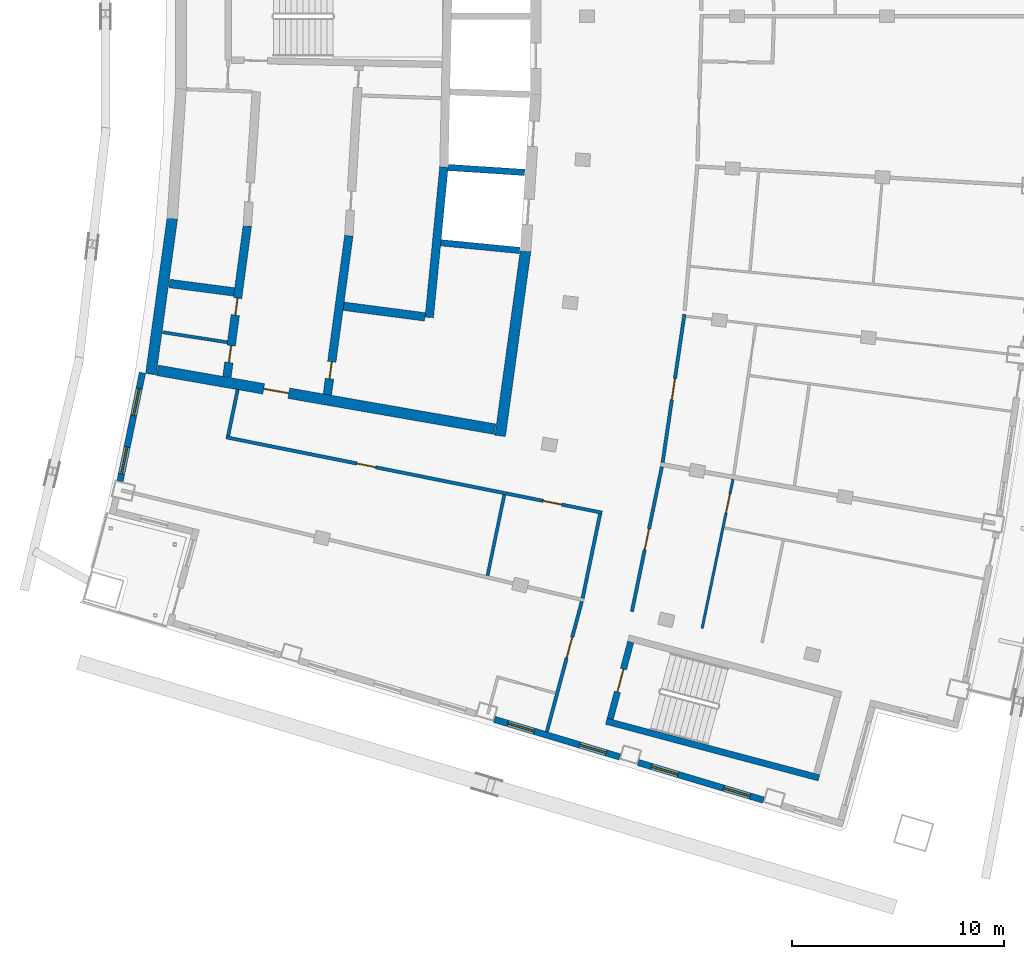
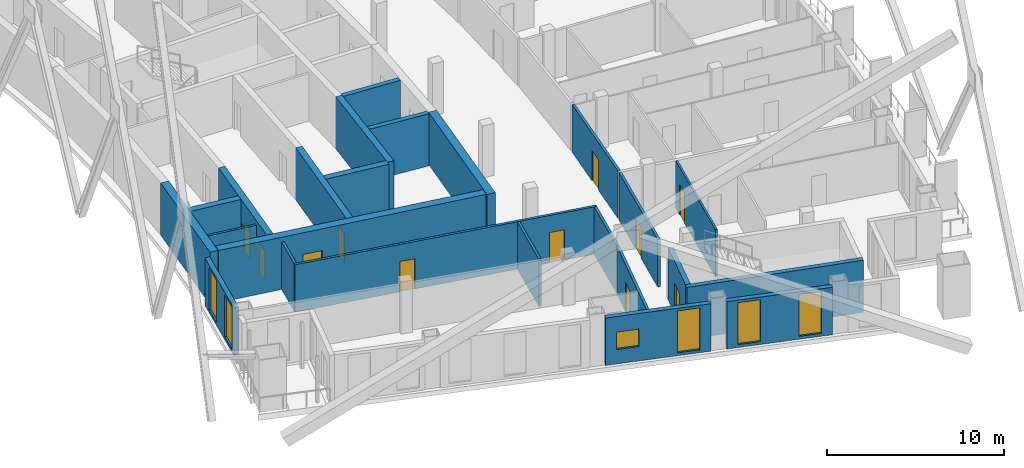
# One storey, part 8 of 16: 24 walls, 11 doors, 6 windows, 17 openings.
"""IFC4 building model written with IfcOpenShell, lengths in metres."""

from ifc_helpers import new_model, si_unit, direction, frame, frame_2d, origin, place, context, subcontext, project, spatial, rectangle, extrude, material, layer, layer_set, type_object, element, fill, save


model = new_model("IFC4")

# Units and contexts
model_context = context("Model", 3, precision=1e-05, world=origin(), true_north=direction((0.0, 1.0)))
body_context = subcontext(model_context, "Body", "Model", "MODEL_VIEW")
ifc_project = project(units=[si_unit("LENGTHUNIT", "METRE"), si_unit("AREAUNIT", "SQUARE_METRE"), si_unit("VOLUMEUNIT", "CUBIC_METRE"), si_unit("PLANEANGLEUNIT", "RADIAN"), si_unit("MASSUNIT", "GRAM", prefix="KILO")], contexts=[model_context])

# Site, building, storey
site_placement = place(None, origin())
site = spatial("IfcSite", under=ifc_project, at=site_placement, CompositionType="ELEMENT")
building_placement = place(site_placement, origin())
building = spatial("IfcBuilding", under=site, at=building_placement, Name="Alderwake Tower", CompositionType="ELEMENT")
storey_placement = place(building_placement, frame((0.0, 0.0, 245.60009765625)))
storey = spatial("IfcBuildingStorey", under=building, at=storey_placement, Name="L60", CompositionType="ELEMENT", Elevation=245.60009765625)

# Walls
ifc_material_1 = material(Name="Gypsum shaft wall system, rated")
ifc_layer_1 = layer(ifc_material_1, 0.14990234375)
ifc_layer_set_1 = layer_set([ifc_layer_1], Name="Core room partition 150")
wall_type_1 = type_object("IfcWallType", Name="Core room partition 150", PredefinedType="PARTITIONING", material=ifc_layer_set_1)
wall_1_placement = place(storey_placement, frame((15.826416015625, 46.128662109375, 0.0), z_axis=(0.0, 0.0, 1.0), x_axis=(0.988169349882, -0.153366671587, 0.0)))
element("IfcWall", 1, at=wall_1_placement, inside=storey, type_object=wall_type_1, Name="CW/L60/PR-161_+0", PredefinedType="PARTITIONING", context=body_context, shape_type="SweptSolid", body=[
    extrude(rectangle(XDim=3.081787109375, YDim=0.14990234375, at=frame_2d((1.541015625, 0.0))), origin(), (0.0, 0.0, 1.0), 3.27978515625),
])
ifc_material_2 = material(Name="Concrete C70/85", Category="concrete")
ifc_layer_2 = layer(ifc_material_2, 0.5)
ifc_layer_set_2 = layer_set([ifc_layer_2], Name="Core wall outer 500 C70-85")
wall_type_2 = type_object("IfcWallType", Name="Core wall outer 500 C70-85", PredefinedType="SHEAR", material=ifc_layer_set_2)
wall_2_placement = place(storey_placement, frame((15.272216796875, 44.155029296875, 0.0), z_axis=(0.0, 0.0, 1.0), x_axis=(0.13632182908, 0.990664604655, 0.0)))
element("IfcWall", 2, at=wall_2_placement, inside=storey, type_object=wall_type_2, Name="Core wall CW.028", PredefinedType="SHEAR", context=body_context, shape_type="SweptSolid", body=[
    extrude(rectangle(XDim=7.408935546875, YDim=0.5, at=frame_2d((3.70458984375, 0.0))), origin(), (0.0, 0.0, 1.0), 3.599853515625),
])
wall_3_placement = place(storey_placement, frame((31.71728515625, 41.247314453125, 0.0), z_axis=(0.0, 0.0, 1.0), x_axis=(0.1358539401, 0.990728876615, 0.0)))
element("IfcWall", 3, at=wall_3_placement, inside=storey, type_object=wall_type_2, Name="Core wall CW.022", PredefinedType="SHEAR", context=body_context, shape_type="SweptSolid", body=[
    extrude(rectangle(XDim=8.794921875, YDim=0.5, at=frame_2d((4.3974609375, 0.0))), origin(), (0.0, 0.0, 1.0), 3.599853515625),
])

# Wall, opening, door
wall_4_placement = place(storey_placement, frame((31.47802734375, 41.564453125, 0.0), z_axis=(0.0, 0.0, 1.0), x_axis=(-0.985140274783, 0.171751678306, 0.0)))
wall_4 = element("IfcWall", 4, at=wall_4_placement, inside=storey, type_object=wall_type_2, Name="Core wall CW.072", PredefinedType="SHEAR", context=body_context, shape_type="SweptSolid", body=[
    extrude(rectangle(XDim=16.137939453125, YDim=0.5, at=frame_2d((8.06884765625, 0.0))), origin(), (0.0, 0.0, 1.0), 3.599853515625),
])
opening_1_placement = place(wall_4_placement, frame((9.859619140625, 0.0, 0.0)))
opening_1 = element("IfcOpeningElement", 5, at=opening_1_placement, cuts=wall_4, Name="Opening C003", PredefinedType="OPENING", context=body_context, shape_type="SweptSolid", body=[
    extrude(rectangle(XDim=1.199951171875, YDim=2.10009765625, at=frame_2d((0.60009765625, 1.050048828125))), frame((0.0, 0.260009765625, 0.0), z_axis=(0.0, -1.0, 0.0), x_axis=(1.0, 0.0, 0.0)), (0.0, 0.0, 1.0), 0.52001953125),
])
ifc_material_3 = material(Name="Steel-framed fire door leaf", Category="steel")
door_type_1 = type_object("IfcDoorType", Name="Core lobby exit door 1200 fire-rated", OperationType="SINGLE_SWING_LEFT", PredefinedType="DOOR", material=ifc_material_3)
door_1_placement = place(opening_1_placement, origin())
door_1 = element("IfcDoor", 6, at=door_1_placement, inside=storey, type_object=door_type_1, Name="Lobby door", OperationType="SINGLE_SWING_LEFT", OverallHeight=2.10009765625, OverallWidth=1.199951171875, PredefinedType="DOOR", context=body_context, shape_type="SweptSolid", body=[
    extrude(rectangle(XDim=1.199951171875, YDim=2.10009765625, at=frame_2d((0.60009765625, 1.050048828125))), frame((0.0, 0.02490234375, 0.0), z_axis=(0.0, -1.0, 0.0), x_axis=(1.0, 0.0, 0.0)), (0.0, 0.0, 1.0), 0.050048828125),
])
fill(opening_1, door_1)

# Walls
ifc_material_4 = material(Name="Concrete C70/85", Category="concrete")
ifc_layer_3 = layer(ifc_material_4, 0.300048828125)
ifc_layer_set_3 = layer_set([ifc_layer_3], Name="Core wall shaft 300 C70-85")
wall_type_3 = type_object("IfcWallType", Name="Core wall shaft 300 C70-85", PredefinedType="SHEAR", material=ifc_layer_set_3)
wall_5_placement = place(storey_placement, frame((28.922119140625, 50.341796875, 0.0), z_axis=(0.0, 0.0, 1.0), x_axis=(0.995245719762, -0.097395879255, 0.0)))
element("IfcWall", 7, at=wall_5_placement, inside=storey, type_object=wall_type_3, Name="Core wall CW.064", PredefinedType="SHEAR", context=body_context, shape_type="SweptSolid", body=[
    extrude(rectangle(XDim=3.7275390625, YDim=0.300048828125, at=frame_2d((1.86376953125, 0.0))), origin(), (0.0, 0.0, 1.0), 3.599853515625),
])
wall_6_placement = place(storey_placement, frame((29.268798828125, 53.884521484375, 0.0), z_axis=(0.0, 0.0, 1.0), x_axis=(0.997885735437, -0.064992761217, 0.0)))
element("IfcWall", 8, at=wall_6_placement, inside=storey, type_object=wall_type_3, Name="Core wall CW.078", PredefinedType="SHEAR", context=body_context, shape_type="SweptSolid", body=[
    extrude(rectangle(XDim=3.60986328125, YDim=0.300048828125, at=frame_2d((1.804931640625, 0.0))), origin(), (0.0, 0.0, 1.0), 3.599853515625),
])

# Wall, openings, doors
ifc_material_5 = material(Name="Concrete C70/85", Category="concrete")
ifc_layer_4 = layer(ifc_material_5, 0.39990234375)
ifc_layer_set_4 = layer_set([ifc_layer_4], Name="Core wall spine 400 C70-85")
wall_type_4 = type_object("IfcWallType", Name="Core wall spine 400 C70-85", PredefinedType="SHEAR", material=ifc_layer_set_4)
wall_7_placement = place(storey_placement, frame((19.814697265625, 51.143798828125, 0.0), z_axis=(0.0, 0.0, 1.0), x_axis=(-0.133823115837, -0.991005233925, 0.0)))
wall_7 = element("IfcWall", 9, at=wall_7_placement, inside=storey, type_object=wall_type_4, Name="Core wall CW.033", PredefinedType="SHEAR", context=body_context, shape_type="SweptSolid", body=[
    extrude(rectangle(XDim=7.1787109375, YDim=0.39990234375, at=frame_2d((3.58935546875, 0.0))), origin(), (0.0, 0.0, 1.0), 3.599853515625),
])
opening_2_placement = place(wall_7_placement, frame((5.69677734375, 0.0, 0.0)))
opening_2 = element("IfcOpeningElement", 10, at=opening_2_placement, cuts=wall_7, Name="Opening C009", PredefinedType="OPENING", context=body_context, shape_type="SweptSolid", body=[
    extrude(rectangle(XDim=0.800048828125, YDim=2.0, at=frame_2d((0.39990234375, 1.0))), frame((0.0, 0.2099609375, 0.0), z_axis=(0.0, -1.0, 0.0), x_axis=(1.0, 0.0, 0.0)), (0.0, 0.0, 1.0), 0.419921875),
])
opening_3_placement = place(wall_7_placement, frame((3.443115234375, 0.0, 0.0)))
opening_3 = element("IfcOpeningElement", 11, at=opening_3_placement, cuts=wall_7, Name="Opening C010", PredefinedType="OPENING", context=body_context, shape_type="SweptSolid", body=[
    extrude(rectangle(XDim=0.800048828125, YDim=2.0, at=frame_2d((0.39990234375, 1.0))), frame((0.0, 0.2099609375, 0.0), z_axis=(0.0, -1.0, 0.0), x_axis=(1.0, 0.0, 0.0)), (0.0, 0.0, 1.0), 0.419921875),
])
ifc_material_6 = material(Name="Painted steel leaf, rated", Category="steel")
door_type_2 = type_object("IfcDoorType", Name="Riser access door 800", OperationType="SINGLE_SWING_LEFT", PredefinedType="DOOR", material=ifc_material_6)
door_2_placement = place(opening_2_placement, origin())
door_2 = element("IfcDoor", 12, at=door_2_placement, inside=storey, type_object=door_type_2, Name="Riser access door", OperationType="SINGLE_SWING_LEFT", OverallHeight=2.0, OverallWidth=0.800048828125, PredefinedType="DOOR", context=body_context, shape_type="SweptSolid", body=[
    extrude(rectangle(XDim=0.800048828125, YDim=2.0, at=frame_2d((0.39990234375, 1.0))), frame((0.0, 0.02490234375, 0.0), z_axis=(0.0, -1.0, 0.0), x_axis=(1.0, 0.0, 0.0)), (0.0, 0.0, 1.0), 0.050048828125),
])
fill(opening_2, door_2)
door_3_placement = place(opening_3_placement, origin())
door_3 = element("IfcDoor", 13, at=door_3_placement, inside=storey, type_object=door_type_2, Name="Riser access door", OperationType="SINGLE_SWING_RIGHT", OverallHeight=2.0, OverallWidth=0.800048828125, PredefinedType="DOOR", context=body_context, shape_type="SweptSolid", body=[
    extrude(rectangle(XDim=0.800048828125, YDim=2.0, at=frame_2d((0.39990234375, 1.0))), frame((0.0, 0.02490234375, 0.0), z_axis=(0.0, -1.0, 0.0), x_axis=(1.0, 0.0, 0.0)), (0.0, 0.0, 1.0), 0.050048828125),
])
fill(opening_3, door_3)

# Wall, opening, door
wall_8_placement = place(storey_placement, frame((23.58056640625, 43.19384765625, 0.0), z_axis=(0.0, 0.0, 1.0), x_axis=(0.133962545762, 0.990986395635, 0.0)))
wall_8 = element("IfcWall", 14, at=wall_8_placement, inside=storey, type_object=wall_type_4, Name="Core wall CW.047", PredefinedType="SHEAR", context=body_context, shape_type="SweptSolid", body=[
    extrude(rectangle(XDim=7.546875, YDim=0.39990234375, at=frame_2d((3.7734375, 0.0))), origin(), (0.0, 0.0, 1.0), 3.599853515625),
])
opening_4_placement = place(wall_8_placement, frame((0.7578125, 0.0, 0.0)))
opening_4 = element("IfcOpeningElement", 15, at=opening_4_placement, cuts=wall_8, Name="Opening C013", PredefinedType="OPENING", context=body_context, shape_type="SweptSolid", body=[
    extrude(rectangle(XDim=0.800048828125, YDim=2.0, at=frame_2d((0.39990234375, 1.0))), frame((0.0, 0.2099609375, 0.0), z_axis=(0.0, -1.0, 0.0), x_axis=(1.0, 0.0, 0.0)), (0.0, 0.0, 1.0), 0.419921875),
])
door_4_placement = place(opening_4_placement, origin())
door_4 = element("IfcDoor", 16, at=door_4_placement, inside=storey, type_object=door_type_2, Name="Riser access door", OperationType="SINGLE_SWING_LEFT", OverallHeight=2.0, OverallWidth=0.800048828125, PredefinedType="DOOR", context=body_context, shape_type="SweptSolid", body=[
    extrude(rectangle(XDim=0.800048828125, YDim=2.0, at=frame_2d((0.39990234375, 1.0))), frame((0.0, 0.02490234375, 0.0), z_axis=(0.0, -1.0, 0.0), x_axis=(1.0, 0.0, 0.0)), (0.0, 0.0, 1.0), 0.050048828125),
])
fill(opening_4, door_4)

# Walls
wall_9_placement = place(storey_placement, frame((28.376953125, 46.8251953125, 0.0), z_axis=(0.0, 0.0, 1.0), x_axis=(0.097393469943, 0.995245955537, 0.0)))
element("IfcWall", 17, at=wall_9_placement, inside=storey, type_object=wall_type_4, Name="Core wall CW.005", PredefinedType="SHEAR", context=body_context, shape_type="SweptSolid", body=[
    extrude(rectangle(XDim=7.1142578125, YDim=0.39990234375, at=frame_2d((3.55712890625, 0.0))), origin(), (0.0, 0.0, 1.0), 3.599853515625),
])
wall_10_placement = place(storey_placement, frame((16.142578125, 48.42529296875, 0.0), z_axis=(0.0, 0.0, 1.0), x_axis=(0.991550757989, -0.129719290517, 0.0)))
element("IfcWall", 18, at=wall_10_placement, inside=storey, type_object=wall_type_4, Name="Core wall CW.067", PredefinedType="SHEAR", context=body_context, shape_type="SweptSolid", body=[
    extrude(rectangle(XDim=3.0751953125, YDim=0.39990234375, at=frame_2d((1.53759765625, 0.0))), origin(), (0.0, 0.0, 1.0), 3.599853515625),
])
wall_11_placement = place(storey_placement, frame((24.344482421875, 47.3525390625, 0.0), z_axis=(0.0, 0.0, 1.0), x_axis=(0.991554578278, -0.12969008557, 0.0)))
element("IfcWall", 19, at=wall_11_placement, inside=storey, type_object=wall_type_4, Name="Core wall CW.069", PredefinedType="SHEAR", context=body_context, shape_type="SweptSolid", body=[
    extrude(rectangle(XDim=3.86669921875, YDim=0.39990234375, at=frame_2d((1.933349609375, 0.0))), origin(), (0.0, 0.0, 1.0), 3.599853515625),
])
ifc_material_7 = material(Name="Concrete C70/85", Category="concrete")
ifc_layer_5 = layer(ifc_material_7, 0.300048828125)
ifc_layer_set_5 = layer_set([ifc_layer_5], Name="Core wall stair enclosure 300 C70-85")
wall_type_5 = type_object("IfcWallType", Name="Core wall stair enclosure 300 C70-85", PredefinedType="SHEAR", material=ifc_layer_set_5)
wall_12_placement = place(storey_placement, frame((36.71142578125, 27.817626953125, 0.0), z_axis=(0.0, 0.0, 1.0), x_axis=(0.966309214305, -0.257383958996, 0.0)))
element("IfcWall", 20, at=wall_12_placement, inside=storey, type_object=wall_type_5, Name="Core wall CW.088", PredefinedType="SHEAR", context=body_context, shape_type="SweptSolid", body=[
    extrude(rectangle(XDim=10.360107421875, YDim=0.300048828125, at=frame_2d((5.18017578125, 0.0))), origin(), (0.0, 0.0, 1.0), 3.599853515625),
])

# Wall, opening, door
wall_13_placement = place(storey_placement, frame((36.89501953125, 27.923828125, 0.0), z_axis=(0.0, 0.0, 1.0), x_axis=(0.257350630826, 0.966318090907, 0.0)))
wall_13 = element("IfcWall", 21, at=wall_13_placement, inside=storey, type_object=wall_type_5, Name="Core wall CW.087", PredefinedType="SHEAR", context=body_context, shape_type="SweptSolid", body=[
    extrude(rectangle(XDim=3.75, YDim=0.300048828125, at=frame_2d((1.875, 0.0))), origin(), (0.0, 0.0, 1.0), 3.599853515625),
])
opening_5_placement = place(wall_13_placement, frame((1.324951171875, 0.0, 0.0)))
opening_5 = element("IfcOpeningElement", 22, at=opening_5_placement, cuts=wall_13, Name="Opening C065", PredefinedType="OPENING", context=body_context, shape_type="SweptSolid", body=[
    extrude(rectangle(XDim=1.10009765625, YDim=2.10009765625, at=frame_2d((0.550048828125, 1.050048828125))), frame((0.0, 0.159912109375, 0.0), z_axis=(0.0, -1.0, 0.0), x_axis=(1.0, 0.0, 0.0)), (0.0, 0.0, 1.0), 0.320068359375),
])
ifc_material_8 = material(Name="Steel-framed fire door leaf", Category="steel")
door_type_3 = type_object("IfcDoorType", Name="Core stair door 1100 fire-rated", OperationType="SINGLE_SWING_LEFT", PredefinedType="DOOR", material=ifc_material_8)
door_5_placement = place(opening_5_placement, origin())
door_5 = element("IfcDoor", 23, at=door_5_placement, inside=storey, type_object=door_type_3, Name="Stair door", OperationType="SINGLE_SWING_LEFT", OverallHeight=2.10009765625, OverallWidth=1.10009765625, PredefinedType="DOOR", context=body_context, shape_type="SweptSolid", body=[
    extrude(rectangle(XDim=1.10009765625, YDim=2.10009765625, at=frame_2d((0.550048828125, 1.050048828125))), frame((0.0, 0.02490234375, 0.0), z_axis=(0.0, -1.0, 0.0), x_axis=(1.0, 0.0, 0.0)), (0.0, 0.0, 1.0), 0.050048828125),
])
fill(opening_5, door_5)

# Wall, openings, doors
ifc_material_9 = material(Name="Gypsum board on metal studs, rated")
ifc_layer_6 = layer(ifc_material_9, 0.159912109375)
ifc_layer_set_6 = layer_set([ifc_layer_6], Name="Corridor wall 160")
wall_type_6 = type_object("IfcWallType", Name="Corridor wall 160", PredefinedType="PARTITIONING", material=ifc_layer_set_6)
wall_14_placement = place(storey_placement, frame((36.513427734375, 37.63427734375, 0.0), z_axis=(0.0, 0.0, 1.0), x_axis=(-0.980470254867, 0.1966674333, 0.0)))
wall_14 = element("IfcWall", 24, at=wall_14_placement, inside=storey, type_object=wall_type_6, Name="WL/L60/W09", PredefinedType="PARTITIONING", context=body_context, shape_type="SweptSolid", body=[
    extrude(rectangle(XDim=18.053466796875, YDim=0.159912109375, at=frame_2d((9.02685546875, 0.0))), origin(), (0.0, 0.0, 1.0), 3.27978515625),
])
opening_6_placement = place(wall_14_placement, frame((10.876708984375, 0.0, 0.0)))
opening_6 = element("IfcOpeningElement", 25, at=opening_6_placement, cuts=wall_14, Name="Opening R17-SBS1", PredefinedType="OPENING", context=body_context, shape_type="SweptSolid", body=[
    extrude(rectangle(XDim=0.89990234375, YDim=2.10009765625, at=frame_2d((0.449951171875, 1.050048828125))), frame((0.0, 0.08984375, 0.0), z_axis=(0.0, -1.0, 0.0), x_axis=(1.0, 0.0, 0.0)), (0.0, 0.0, 1.0), 0.179931640625),
])
opening_7_placement = place(wall_14_placement, frame((1.9306640625, 0.0, 0.0)))
opening_7 = element("IfcOpeningElement", 26, at=opening_7_placement, cuts=wall_14, Name="Opening R17-SBS2", PredefinedType="OPENING", context=body_context, shape_type="SweptSolid", body=[
    extrude(rectangle(XDim=0.89990234375, YDim=2.10009765625, at=frame_2d((0.449951171875, 1.050048828125))), frame((0.0, 0.08984375, 0.0), z_axis=(0.0, -1.0, 0.0), x_axis=(1.0, 0.0, 0.0)), (0.0, 0.0, 1.0), 0.179931640625),
])
ifc_material_10 = material(Name="Painted timber leaf", Category="wood")
door_type_4 = type_object("IfcDoorType", Name="Room door 900", OperationType="SINGLE_SWING_LEFT", PredefinedType="DOOR", material=ifc_material_10)
door_6_placement = place(opening_6_placement, origin())
door_6 = element("IfcDoor", 27, at=door_6_placement, inside=storey, type_object=door_type_4, Name="DR/L60/SBS1", OperationType="SINGLE_SWING_LEFT", OverallHeight=2.10009765625, OverallWidth=0.89990234375, PredefinedType="DOOR", context=body_context, shape_type="SweptSolid", body=[
    extrude(rectangle(XDim=0.89990234375, YDim=2.10009765625, at=frame_2d((0.449951171875, 1.050048828125))), frame((0.0, 0.02490234375, 0.0), z_axis=(0.0, -1.0, 0.0), x_axis=(1.0, 0.0, 0.0)), (0.0, 0.0, 1.0), 0.050048828125),
])
fill(opening_6, door_6)
door_7_placement = place(opening_7_placement, origin())
door_7 = element("IfcDoor", 28, at=door_7_placement, inside=storey, type_object=door_type_4, Name="DR/L60/SBS2", OperationType="SINGLE_SWING_LEFT", OverallHeight=2.10009765625, OverallWidth=0.89990234375, PredefinedType="DOOR", context=body_context, shape_type="SweptSolid", body=[
    extrude(rectangle(XDim=0.89990234375, YDim=2.10009765625, at=frame_2d((0.449951171875, 1.050048828125))), frame((0.0, 0.02490234375, 0.0), z_axis=(0.0, -1.0, 0.0), x_axis=(1.0, 0.0, 0.0)), (0.0, 0.0, 1.0), 0.050048828125),
])
fill(opening_7, door_7)

# Wall
wall_15_placement = place(storey_placement, frame((19.35888671875, 43.430908203125, 0.0), z_axis=(0.0, 0.0, 1.0), x_axis=(-0.202554916658, -0.979270905183, 0.0)))
element("IfcWall", 29, at=wall_15_placement, inside=storey, type_object=wall_type_6, Name="WL/L60/W10", PredefinedType="PARTITIONING", context=body_context, shape_type="SweptSolid", body=[
    extrude(rectangle(XDim=2.229736328125, YDim=0.159912109375, at=frame_2d((1.11474609375, 0.0))), origin(), (0.0, 0.0, 1.0), 3.27978515625),
])

# Wall, opening, door
wall_16_placement = place(storey_placement, frame((33.912109375, 27.321044921875, 0.0), z_axis=(0.0, 0.0, 1.0), x_axis=(0.259370874835, 0.965777794986, 0.0)))
wall_16 = element("IfcWall", 30, at=wall_16_placement, inside=storey, type_object=wall_type_6, Name="WL/L60/W13", PredefinedType="PARTITIONING", context=body_context, shape_type="SweptSolid", body=[
    extrude(rectangle(XDim=6.349853515625, YDim=0.159912109375, at=frame_2d((3.1748046875, 0.0))), origin(), (0.0, 0.0, 1.0), 3.27978515625),
])
opening_8_placement = place(wall_16_placement, frame((3.603515625, 0.0, 0.0)))
opening_8 = element("IfcOpeningElement", 31, at=opening_8_placement, cuts=wall_16, Name="Opening R17-U08.1", PredefinedType="OPENING", context=body_context, shape_type="SweptSolid", body=[
    extrude(rectangle(XDim=1.0, YDim=2.10009765625, at=frame_2d((0.5, 1.050048828125))), frame((0.0, 0.08984375, 0.0), z_axis=(0.0, -1.0, 0.0), x_axis=(1.0, 0.0, 0.0)), (0.0, 0.0, 1.0), 0.179931640625),
])
ifc_material_11 = material(Name="Solid timber leaf in steel frame", Category="steel")
door_type_5 = type_object("IfcDoorType", Name="Flat entrance door 1000 fire-rated", OperationType="SINGLE_SWING_LEFT", PredefinedType="DOOR", material=ifc_material_11)
door_8_placement = place(opening_8_placement, origin())
door_8 = element("IfcDoor", 32, at=door_8_placement, inside=storey, type_object=door_type_5, Name="DR/L60/U08.1", OperationType="SINGLE_SWING_LEFT", OverallHeight=2.10009765625, OverallWidth=1.0, PredefinedType="DOOR", context=body_context, shape_type="SweptSolid", body=[
    extrude(rectangle(XDim=1.0, YDim=2.10009765625, at=frame_2d((0.5, 1.050048828125))), frame((0.0, 0.02490234375, 0.0), z_axis=(0.0, -1.0, 0.0), x_axis=(1.0, 0.0, 0.0)), (0.0, 0.0, 1.0), 0.050048828125),
])
fill(opening_8, door_8)

# Wall
wall_17_placement = place(storey_placement, frame((36.418701171875, 37.57177734375, 0.0), z_axis=(0.0, 0.0, 1.0), x_axis=(-0.203245920818, -0.979127721838, 0.0)))
element("IfcWall", 33, at=wall_17_placement, inside=storey, type_object=wall_type_6, Name="WL/L60/W16", PredefinedType="PARTITIONING", context=body_context, shape_type="SweptSolid", body=[
    extrude(rectangle(XDim=4.046875, YDim=0.159912109375, at=frame_2d((2.0234375, 0.0))), origin(), (0.0, 0.0, 1.0), 3.27978515625),
])

# Wall, opening, door
wall_18_placement = place(storey_placement, frame((39.32763671875, 39.799072265625, 0.0), z_axis=(0.0, 0.0, 1.0), x_axis=(-0.202466556983, -0.979289177569, 0.0)))
wall_18 = element("IfcWall", 34, at=wall_18_placement, inside=storey, type_object=wall_type_6, Name="WL/L60/W18", PredefinedType="PARTITIONING", context=body_context, shape_type="SweptSolid", body=[
    extrude(rectangle(XDim=6.96728515625, YDim=0.159912109375, at=frame_2d((3.483642578125, 0.0))), origin(), (0.0, 0.0, 1.0), 3.27978515625),
])
opening_9_placement = place(wall_18_placement, frame((2.983642578125, 0.0, 0.0)))
opening_9 = element("IfcOpeningElement", 35, at=opening_9_placement, cuts=wall_18, Name="Opening R17-U03.1", PredefinedType="OPENING", context=body_context, shape_type="SweptSolid", body=[
    extrude(rectangle(XDim=1.0, YDim=2.10009765625, at=frame_2d((0.5, 1.050048828125))), frame((0.0, 0.08984375, 0.0), z_axis=(0.0, -1.0, 0.0), x_axis=(1.0, 0.0, 0.0)), (0.0, 0.0, 1.0), 0.179931640625),
])
door_9_placement = place(opening_9_placement, origin())
door_9 = element("IfcDoor", 36, at=door_9_placement, inside=storey, type_object=door_type_5, Name="DR/L60/U03.1", OperationType="SINGLE_SWING_LEFT", OverallHeight=2.10009765625, OverallWidth=1.0, PredefinedType="DOOR", context=body_context, shape_type="SweptSolid", body=[
    extrude(rectangle(XDim=1.0, YDim=2.10009765625, at=frame_2d((0.5, 1.050048828125))), frame((0.0, 0.02490234375, 0.0), z_axis=(0.0, -1.0, 0.0), x_axis=(1.0, 0.0, 0.0)), (0.0, 0.0, 1.0), 0.050048828125),
])
fill(opening_9, door_9)

wall_19_placement = place(storey_placement, frame((40.388671875, 46.97216796875, 0.0), z_axis=(0.0, 0.0, 1.0), x_axis=(-0.145525888156, -0.989354444007, 0.0)))
wall_19 = element("IfcWall", 37, at=wall_19_placement, inside=storey, type_object=wall_type_6, Name="WL/L60/W19", PredefinedType="PARTITIONING", context=body_context, shape_type="SweptSolid", body=[
    extrude(rectangle(XDim=7.051025390625, YDim=0.159912109375, at=frame_2d((3.525390625, 0.0))), origin(), (0.0, 0.0, 1.0), 3.27978515625),
])
opening_10_placement = place(wall_19_placement, frame((3.066162109375, 0.0, 0.0)))
opening_10 = element("IfcOpeningElement", 38, at=opening_10_placement, cuts=wall_19, Name="Opening R17-U04.1", PredefinedType="OPENING", context=body_context, shape_type="SweptSolid", body=[
    extrude(rectangle(XDim=1.0, YDim=2.10009765625, at=frame_2d((0.5, 1.050048828125))), frame((0.0, 0.08984375, 0.0), z_axis=(0.0, -1.0, 0.0), x_axis=(1.0, 0.0, 0.0)), (0.0, 0.0, 1.0), 0.179931640625),
])
door_10_placement = place(opening_10_placement, origin())
door_10 = element("IfcDoor", 39, at=door_10_placement, inside=storey, type_object=door_type_5, Name="DR/L60/U04.1", OperationType="SINGLE_SWING_LEFT", OverallHeight=2.10009765625, OverallWidth=1.0, PredefinedType="DOOR", context=body_context, shape_type="SweptSolid", body=[
    extrude(rectangle(XDim=1.0, YDim=2.10009765625, at=frame_2d((0.5, 1.050048828125))), frame((0.0, 0.02490234375, 0.0), z_axis=(0.0, -1.0, 0.0), x_axis=(1.0, 0.0, 0.0)), (0.0, 0.0, 1.0), 0.050048828125),
])
fill(opening_10, door_10)

# Wall, openings, windows
ifc_material_12 = material(Name="Precast concrete C50/60 spandrel panel", Category="concrete")
ifc_layer_7 = layer(ifc_material_12, 0.300048828125)
ifc_layer_set_7 = layer_set([ifc_layer_7], Name="External wall EW1 Precast concrete C50/60 spandrel")
wall_type_7 = type_object("IfcWallType", Name="External wall EW1 Precast concrete C50/60 spandrel", PredefinedType="SOLIDWALL", material=ifc_layer_set_7)
wall_20_placement = place(storey_placement, frame((14.878173828125, 44.223388671875, 0.0), z_axis=(0.0, 0.0, 1.0), x_axis=(-0.202760516883, -0.979228355795, 0.0)))
wall_20 = element("IfcWall", 40, at=wall_20_placement, inside=storey, type_object=wall_type_7, Name="External wall 32", PredefinedType="SOLIDWALL", context=body_context, shape_type="SweptSolid", body=[
    extrude(rectangle(XDim=5.211181640625, YDim=0.300048828125, at=frame_2d((2.60546875, 0.0))), origin(), (0.0, 0.0, 1.0), 3.27978515625),
])
opening_11_placement = place(wall_20_placement, frame((0.75634765625, 0.0, 0.199951171875)))
opening_11 = element("IfcOpeningElement", 41, at=opening_11_placement, cuts=wall_20, Name="Opening W1", PredefinedType="OPENING", context=body_context, shape_type="SweptSolid", body=[
    extrude(rectangle(XDim=1.300048828125, YDim=2.89990234375, at=frame_2d((0.64990234375, 1.449951171875))), frame((0.0, 0.159912109375, 0.0), z_axis=(0.0, -1.0, 0.0), x_axis=(1.0, 0.0, 0.0)), (0.0, 0.0, 1.0), 0.320068359375),
])
opening_12_placement = place(wall_20_placement, frame((3.569091796875, 0.0, 0.199951171875)))
opening_12 = element("IfcOpeningElement", 42, at=opening_12_placement, cuts=wall_20, Name="Opening W1", PredefinedType="OPENING", context=body_context, shape_type="SweptSolid", body=[
    extrude(rectangle(XDim=1.300048828125, YDim=2.89990234375, at=frame_2d((0.64990234375, 1.449951171875))), frame((0.0, 0.159912109375, 0.0), z_axis=(0.0, -1.0, 0.0), x_axis=(1.0, 0.0, 0.0)), (0.0, 0.0, 1.0), 0.320068359375),
])
ifc_material_13 = material(Name="Bronze tinted glass in aluminium frame", Category="aluminium")
window_type_1 = type_object("IfcWindowType", Name="Window W1 tall fixed and vent", PartitioningType="DOUBLE_PANEL_VERTICAL", PredefinedType="WINDOW", material=ifc_material_13)
window_1_placement = place(opening_11_placement, origin())
window_1 = element("IfcWindow", 43, at=window_1_placement, inside=storey, type_object=window_type_1, Name="Window W1 tall fixed and vent", OverallHeight=2.89990234375, OverallWidth=1.300048828125, PartitioningType="DOUBLE_PANEL_VERTICAL", PredefinedType="WINDOW", context=body_context, shape_type="SweptSolid", body=[
    extrude(rectangle(XDim=1.300048828125, YDim=2.89990234375, at=frame_2d((0.64990234375, 1.449951171875))), frame((0.0, 0.030029296875, 0.0), z_axis=(0.0, -1.0, 0.0), x_axis=(1.0, 0.0, 0.0)), (0.0, 0.0, 1.0), 0.06005859375),
])
fill(opening_11, window_1)
window_2_placement = place(opening_12_placement, origin())
window_2 = element("IfcWindow", 44, at=window_2_placement, inside=storey, type_object=window_type_1, Name="Window W1 tall fixed and vent", OverallHeight=2.89990234375, OverallWidth=1.300048828125, PartitioningType="DOUBLE_PANEL_VERTICAL", PredefinedType="WINDOW", context=body_context, shape_type="SweptSolid", body=[
    extrude(rectangle(XDim=1.300048828125, YDim=2.89990234375, at=frame_2d((0.64990234375, 1.449951171875))), frame((0.0, 0.030029296875, 0.0), z_axis=(0.0, -1.0, 0.0), x_axis=(1.0, 0.0, 0.0)), (0.0, 0.0, 1.0), 0.06005859375),
])
fill(opening_12, window_2)

ifc_material_14 = material(Name="Bronze metal cladding on lightweight framing")
ifc_layer_8 = layer(ifc_material_14, 0.300048828125)
ifc_layer_set_8 = layer_set([ifc_layer_8], Name="External wall EW2 bronze metal cladding")
wall_type_8 = type_object("IfcWallType", Name="External wall EW2 bronze metal cladding", PredefinedType="SOLIDWALL", material=ifc_layer_set_8)
wall_21_placement = place(storey_placement, frame((31.441162109375, 27.90771484375, 0.0), z_axis=(0.0, 0.0, 1.0), x_axis=(0.957757574336, -0.287576822436, 0.0)))
wall_21 = element("IfcWall", 45, at=wall_21_placement, inside=storey, type_object=wall_type_8, Name="External wall 6", PredefinedType="SOLIDWALL", context=body_context, shape_type="SweptSolid", body=[
    extrude(rectangle(XDim=6.163330078125, YDim=0.300048828125, at=frame_2d((3.08154296875, 0.0))), origin(), (0.0, 0.0, 1.0), 3.27978515625),
])
opening_13_placement = place(wall_21_placement, frame((0.664794921875, 0.0, 1.0)))
opening_13 = element("IfcOpeningElement", 46, at=opening_13_placement, cuts=wall_21, Name="Opening W2", PredefinedType="OPENING", context=body_context, shape_type="SweptSolid", body=[
    extrude(rectangle(XDim=1.300048828125, YDim=1.199951171875, at=frame_2d((0.64990234375, 0.60009765625))), frame((0.0, 0.159912109375, 0.0), z_axis=(0.0, -1.0, 0.0), x_axis=(1.0, 0.0, 0.0)), (0.0, 0.0, 1.0), 0.320068359375),
])
opening_14_placement = place(wall_21_placement, frame((4.1982421875, 0.0, 0.199951171875)))
opening_14 = element("IfcOpeningElement", 47, at=opening_14_placement, cuts=wall_21, Name="Opening W1", PredefinedType="OPENING", context=body_context, shape_type="SweptSolid", body=[
    extrude(rectangle(XDim=1.300048828125, YDim=2.89990234375, at=frame_2d((0.64990234375, 1.449951171875))), frame((0.0, 0.159912109375, 0.0), z_axis=(0.0, -1.0, 0.0), x_axis=(1.0, 0.0, 0.0)), (0.0, 0.0, 1.0), 0.320068359375),
])
window_3_placement = place(opening_14_placement, origin())
window_3 = element("IfcWindow", 48, at=window_3_placement, inside=storey, type_object=window_type_1, Name="Window W1 tall fixed and vent", OverallHeight=2.89990234375, OverallWidth=1.300048828125, PartitioningType="DOUBLE_PANEL_VERTICAL", PredefinedType="WINDOW", context=body_context, shape_type="SweptSolid", body=[
    extrude(rectangle(XDim=1.300048828125, YDim=2.89990234375, at=frame_2d((0.64990234375, 1.449951171875))), frame((0.0, 0.030029296875, 0.0), z_axis=(0.0, -1.0, 0.0), x_axis=(1.0, 0.0, 0.0)), (0.0, 0.0, 1.0), 0.06005859375),
])
fill(opening_14, window_3)
ifc_material_15 = material(Name="Bronze tinted glass in aluminium frame", Category="aluminium")
window_type_2 = type_object("IfcWindowType", Name="Window W2 kitchen and bath", PartitioningType="SINGLE_PANEL", PredefinedType="WINDOW", material=ifc_material_15)
window_4_placement = place(opening_13_placement, origin())
window_4 = element("IfcWindow", 49, at=window_4_placement, inside=storey, type_object=window_type_2, Name="Window W2 kitchen and bath", OverallHeight=1.199951171875, OverallWidth=1.300048828125, PartitioningType="SINGLE_PANEL", PredefinedType="WINDOW", context=body_context, shape_type="SweptSolid", body=[
    extrude(rectangle(XDim=1.300048828125, YDim=1.199951171875, at=frame_2d((0.64990234375, 0.60009765625))), frame((0.0, 0.030029296875, 0.0), z_axis=(0.0, -1.0, 0.0), x_axis=(1.0, 0.0, 0.0)), (0.0, 0.0, 1.0), 0.06005859375),
])
fill(opening_13, window_4)

wall_22_placement = place(storey_placement, frame((38.20947265625, 25.87548828125, 0.0), z_axis=(0.0, 0.0, 1.0), x_axis=(0.957768483821, -0.28754048654, 0.0)))
wall_22 = element("IfcWall", 50, at=wall_22_placement, inside=storey, type_object=wall_type_8, Name="External wall 7", PredefinedType="SOLIDWALL", context=body_context, shape_type="SweptSolid", body=[
    extrude(rectangle(XDim=6.163330078125, YDim=0.300048828125, at=frame_2d((3.08154296875, 0.0))), origin(), (0.0, 0.0, 1.0), 3.27978515625),
])
opening_15_placement = place(wall_22_placement, frame((0.6650390625, 0.0, 0.199951171875)))
opening_15 = element("IfcOpeningElement", 51, at=opening_15_placement, cuts=wall_22, Name="Opening W1", PredefinedType="OPENING", context=body_context, shape_type="SweptSolid", body=[
    extrude(rectangle(XDim=1.300048828125, YDim=2.89990234375, at=frame_2d((0.64990234375, 1.449951171875))), frame((0.0, 0.159912109375, 0.0), z_axis=(0.0, -1.0, 0.0), x_axis=(1.0, 0.0, 0.0)), (0.0, 0.0, 1.0), 0.320068359375),
])
opening_16_placement = place(wall_22_placement, frame((4.1982421875, 0.0, 0.199951171875)))
opening_16 = element("IfcOpeningElement", 52, at=opening_16_placement, cuts=wall_22, Name="Opening W1", PredefinedType="OPENING", context=body_context, shape_type="SweptSolid", body=[
    extrude(rectangle(XDim=1.300048828125, YDim=2.89990234375, at=frame_2d((0.64990234375, 1.449951171875))), frame((0.0, 0.159912109375, 0.0), z_axis=(0.0, -1.0, 0.0), x_axis=(1.0, 0.0, 0.0)), (0.0, 0.0, 1.0), 0.320068359375),
])
window_5_placement = place(opening_15_placement, origin())
window_5 = element("IfcWindow", 53, at=window_5_placement, inside=storey, type_object=window_type_1, Name="Window W1 tall fixed and vent", OverallHeight=2.89990234375, OverallWidth=1.300048828125, PartitioningType="DOUBLE_PANEL_VERTICAL", PredefinedType="WINDOW", context=body_context, shape_type="SweptSolid", body=[
    extrude(rectangle(XDim=1.300048828125, YDim=2.89990234375, at=frame_2d((0.64990234375, 1.449951171875))), frame((0.0, 0.030029296875, 0.0), z_axis=(0.0, -1.0, 0.0), x_axis=(1.0, 0.0, 0.0)), (0.0, 0.0, 1.0), 0.06005859375),
])
fill(opening_15, window_5)
window_6_placement = place(opening_16_placement, origin())
window_6 = element("IfcWindow", 54, at=window_6_placement, inside=storey, type_object=window_type_1, Name="Window W1 tall fixed and vent", OverallHeight=2.89990234375, OverallWidth=1.300048828125, PartitioningType="DOUBLE_PANEL_VERTICAL", PredefinedType="WINDOW", context=body_context, shape_type="SweptSolid", body=[
    extrude(rectangle(XDim=1.300048828125, YDim=2.89990234375, at=frame_2d((0.64990234375, 1.449951171875))), frame((0.0, 0.030029296875, 0.0), z_axis=(0.0, -1.0, 0.0), x_axis=(1.0, 0.0, 0.0)), (0.0, 0.0, 1.0), 0.06005859375),
])
fill(opening_16, window_6)

# Wall
ifc_material_16 = material(Name="Gypsum shaft wall system, rated")
ifc_layer_9 = layer(ifc_material_16, 0.14990234375)
ifc_layer_set_9 = layer_set([ifc_layer_9], Name="Riser and shaft wall 150")
wall_type_9 = type_object("IfcWallType", Name="Riser and shaft wall 150", PredefinedType="PARTITIONING", material=ifc_layer_set_9)
wall_23_placement = place(storey_placement, frame((31.120361328125, 34.67138671875, 0.0), z_axis=(0.0, 0.0, 1.0), x_axis=(0.203103989328, 0.979157173042, 0.0)))
element("IfcWall", 55, at=wall_23_placement, inside=storey, type_object=wall_type_9, Name="WL/L60/W04", PredefinedType="PARTITIONING", context=body_context, shape_type="SweptSolid", body=[
    extrude(rectangle(XDim=3.887451171875, YDim=0.14990234375, at=frame_2d((1.94384765625, 0.0))), origin(), (0.0, 0.0, 1.0), 3.27978515625),
])

# Wall, opening, door
ifc_material_17 = material(Name="Moisture resistant gypsum board on metal studs")
ifc_layer_10 = layer(ifc_material_17, 0.1201171875)
ifc_layer_set_10 = layer_set([ifc_layer_10], Name="Wet room partition 120")
wall_type_10 = type_object("IfcWallType", Name="Wet room partition 120", PredefinedType="PARTITIONING", material=ifc_layer_set_10)
wall_24_placement = place(storey_placement, frame((42.67578125, 39.2080078125, 0.0), z_axis=(0.0, 0.0, 1.0), x_axis=(-0.20272162606, -0.979236407783, 0.0)))
wall_24 = element("IfcWall", 56, at=wall_24_placement, inside=storey, type_object=wall_type_10, Name="WL/L60/W33", PredefinedType="PARTITIONING", context=body_context, shape_type="SweptSolid", body=[
    extrude(rectangle(XDim=7.1669921875, YDim=0.1201171875, at=frame_2d((3.58349609375, 0.0))), origin(), (0.0, 0.0, 1.0), 3.27978515625),
])
opening_17_placement = place(wall_24_placement, frame((0.7109375, 0.0, 0.0)))
opening_17 = element("IfcOpeningElement", 57, at=opening_17_placement, cuts=wall_24, Name="Opening R17-U03.2", PredefinedType="OPENING", context=body_context, shape_type="SweptSolid", body=[
    extrude(rectangle(XDim=0.89990234375, YDim=2.10009765625, at=frame_2d((0.449951171875, 1.050048828125))), frame((0.0, 0.070068359375, 0.0), z_axis=(0.0, -1.0, 0.0), x_axis=(1.0, 0.0, 0.0)), (0.0, 0.0, 1.0), 0.14013671875),
])
door_11_placement = place(opening_17_placement, origin())
door_11 = element("IfcDoor", 58, at=door_11_placement, inside=storey, type_object=door_type_4, Name="DR/L60/U03.2", OperationType="SINGLE_SWING_LEFT", OverallHeight=2.10009765625, OverallWidth=0.89990234375, PredefinedType="DOOR", context=body_context, shape_type="SweptSolid", body=[
    extrude(rectangle(XDim=0.89990234375, YDim=2.10009765625, at=frame_2d((0.449951171875, 1.050048828125))), frame((0.0, 0.02490234375, 0.0), z_axis=(0.0, -1.0, 0.0), x_axis=(1.0, 0.0, 0.0)), (0.0, 0.0, 1.0), 0.050048828125),
])
fill(opening_17, door_11)

save(model, "model.ifc")
